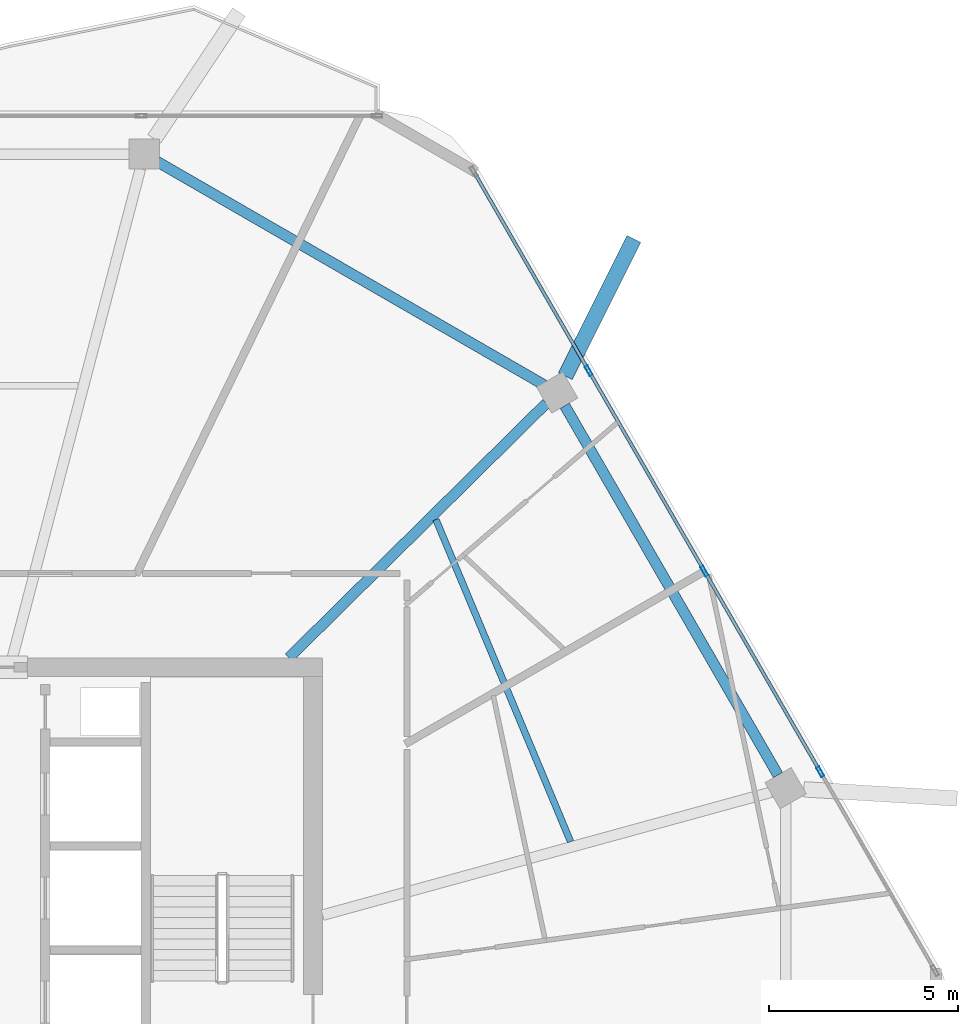
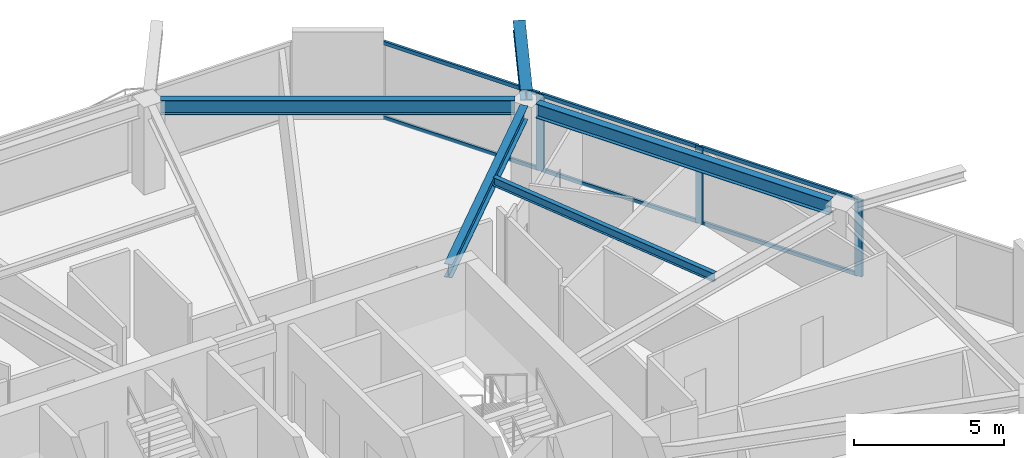
# One storey, part 11 of 20: 9 members, 5 beams, 1 element without a shape of its own.
"""IFC4 building model written with IfcOpenShell, lengths in metres."""

from ifc_helpers import new_model, si_unit, direction, frame, origin, origin_2d, place, context, subcontext, project, spatial, hollow_rectangle, i_section, extrude, material, material_profile, profile_set, type_object, element, aggregate, save


model = new_model("IFC4")

# Units and contexts
model_context = context("Model", 3, precision=1e-05, world=origin(), true_north=direction((0.0, 1.0)))
body_context = subcontext(model_context, "Body", "Model", "MODEL_VIEW")
ifc_project = project(units=[si_unit("LENGTHUNIT", "METRE"), si_unit("AREAUNIT", "SQUARE_METRE"), si_unit("VOLUMEUNIT", "CUBIC_METRE"), si_unit("PLANEANGLEUNIT", "RADIAN"), si_unit("MASSUNIT", "GRAM", prefix="KILO")], contexts=[model_context])

# Site, building, storey
site_placement = place(None, origin())
site = spatial("IfcSite", under=ifc_project, at=site_placement, CompositionType="ELEMENT")
building_placement = place(site_placement, origin())
building = spatial("IfcBuilding", under=site, at=building_placement, Name="Zuhravey Tower", CompositionType="ELEMENT")
storey_placement = place(building_placement, frame((0.0, 0.0, 312.0)))
storey = spatial("IfcBuildingStorey", under=building, at=storey_placement, Name="L79", CompositionType="ELEMENT", Elevation=312.0)

# Curtain wall, members
ifc_material_1 = material(Name="Thermally broken anodised aluminium", Category="aluminium")
curtain_wall_type = type_object("IfcCurtainWallType", Name="Zone 3-4 High-Rise Curtain Wall CW4", PredefinedType="NOTDEFINED", material=ifc_material_1)
curtain_wall_placement = place(storey_placement, origin())
curtain_wall = element("IfcCurtainWall", 1, at=curtain_wall_placement, inside=storey, type_object=curtain_wall_type, Name="L79 CW4 CW-L79-F1-1", PredefinedType="NOTDEFINED")
ifc_material_2 = material(Name="Anodised aluminium", Category="aluminium")
ifc_material_profile_1 = material_profile(ifc_material_2, hollow_rectangle(XDim=0.090087890625, YDim=0.284912109375, WallThickness=0.0048828125, at=origin_2d()), Name="ALU-RHS-90x285x5")
ifc_profile_set_1 = profile_set([ifc_material_profile_1], Name="Anodised aluminium")
member_type_1 = type_object("IfcMemberType", Name="Curtain-Wall Mullion 90x180", PredefinedType="MULLION", material=ifc_profile_set_1)
member_1_placement = place(storey_placement, frame((53.788818359375, 49.3369140625, 0.0), z_axis=(0.0, 0.0, 1.0), x_axis=(0.866025511541, 0.49999981336, 0.0)))
member_1 = element("IfcMember", 2, at=member_1_placement, type_object=member_type_1, Name="CW4 mullion 2", PredefinedType="MULLION", context=body_context, shape_type="SweptSolid", body=[
    extrude(hollow_rectangle(XDim=0.090087890625, YDim=0.284912109375, WallThickness=0.0048828125, at=origin_2d()), origin(), (0.0, 0.0, 1.0), 3.1220703125),
])
member_2_placement = place(storey_placement, frame((56.8486328125, 44.037109375, 0.0), z_axis=(0.0, 0.0, 1.0), x_axis=(0.866025511541, 0.49999981336, 0.0)))
member_2 = element("IfcMember", 3, at=member_2_placement, type_object=member_type_1, Name="CW4 mullion 3", PredefinedType="MULLION", context=body_context, shape_type="SweptSolid", body=[
    extrude(hollow_rectangle(XDim=0.090087890625, YDim=0.284912109375, WallThickness=0.0048828125, at=origin_2d()), origin(), (0.0, 0.0, 1.0), 3.1220703125),
])
member_3_placement = place(storey_placement, frame((59.90869140625, 38.7373046875, 0.0), z_axis=(0.0, 0.0, 1.0), x_axis=(0.866025511541, 0.49999981336, 0.0)))
member_3 = element("IfcMember", 4, at=member_3_placement, type_object=member_type_1, Name="CW4 mullion 4", PredefinedType="MULLION", context=body_context, shape_type="SweptSolid", body=[
    extrude(hollow_rectangle(XDim=0.090087890625, YDim=0.284912109375, WallThickness=0.0048828125, at=origin_2d()), origin(), (0.0, 0.0, 1.0), 3.1220703125),
])
ifc_material_profile_2 = material_profile(ifc_material_2, hollow_rectangle(XDim=0.090087890625, YDim=0.14990234375, WallThickness=0.0048828125, at=origin_2d()), Name="ALU-RHS-90x150x5")
ifc_profile_set_2 = profile_set([ifc_material_profile_2], Name="Anodised aluminium")
member_type_2 = type_object("IfcMemberType", Name="Curtain-Wall Transom 90x150", PredefinedType="USERDEFINED", material=ifc_profile_set_2)
member_4_placement = place(storey_placement, frame((50.774169921875, 54.55859375, 0.044921875), z_axis=(0.499982594807, -0.866035452444, 0.0), x_axis=(0.866035452444, 0.499982594807, 0.0)))
member_4 = element("IfcMember", 5, at=member_4_placement, type_object=member_type_2, Name="CW4 transom 1.1", ObjectType="TRANSOM", PredefinedType="USERDEFINED", context=body_context, shape_type="SweptSolid", body=[
    extrude(hollow_rectangle(XDim=0.090087890625, YDim=0.14990234375, WallThickness=0.0048828125, at=origin_2d()), origin(), (0.0, 0.0, 1.0), 5.984619140625),
])
member_5_placement = place(storey_placement, frame((50.774169921875, 54.55859375, 3.076904296875), z_axis=(0.499982594807, -0.866035452444, 0.0), x_axis=(0.866035452444, 0.499982594807, 0.0)))
member_5 = element("IfcMember", 6, at=member_5_placement, type_object=member_type_2, Name="CW4 transom 1.2", ObjectType="TRANSOM", PredefinedType="USERDEFINED", context=body_context, shape_type="SweptSolid", body=[
    extrude(hollow_rectangle(XDim=0.090087890625, YDim=0.14990234375, WallThickness=0.0048828125, at=origin_2d()), origin(), (0.0, 0.0, 1.0), 5.984619140625),
])
member_6_placement = place(storey_placement, frame((53.8115234375, 49.2978515625, 0.044921875), z_axis=(0.499971305196, -0.866041970103, 0.0), x_axis=(0.866041970103, 0.499971305196, 0.0)))
member_6 = element("IfcMember", 7, at=member_6_placement, type_object=member_type_2, Name="CW4 transom 2.1", ObjectType="TRANSOM", PredefinedType="USERDEFINED", context=body_context, shape_type="SweptSolid", body=[
    extrude(hollow_rectangle(XDim=0.090087890625, YDim=0.14990234375, WallThickness=0.0048828125, at=origin_2d()), origin(), (0.0, 0.0, 1.0), 6.029541015625),
])
member_7_placement = place(storey_placement, frame((53.8115234375, 49.2978515625, 3.076904296875), z_axis=(0.499971305196, -0.866041970103, 0.0), x_axis=(0.866041970103, 0.499971305196, 0.0)))
member_7 = element("IfcMember", 8, at=member_7_placement, type_object=member_type_2, Name="CW4 transom 2.2", ObjectType="TRANSOM", PredefinedType="USERDEFINED", context=body_context, shape_type="SweptSolid", body=[
    extrude(hollow_rectangle(XDim=0.090087890625, YDim=0.14990234375, WallThickness=0.0048828125, at=origin_2d()), origin(), (0.0, 0.0, 1.0), 6.029541015625),
])
member_8_placement = place(storey_placement, frame((56.871337890625, 43.998046875, 0.044921875), z_axis=(0.499988837749, -0.866031848217, 0.0), x_axis=(0.866031848217, 0.499988837749, 0.0)))
member_8 = element("IfcMember", 9, at=member_8_placement, type_object=member_type_2, Name="CW4 transom 3.1", ObjectType="TRANSOM", PredefinedType="USERDEFINED", context=body_context, shape_type="SweptSolid", body=[
    extrude(hollow_rectangle(XDim=0.090087890625, YDim=0.14990234375, WallThickness=0.0048828125, at=origin_2d()), origin(), (0.0, 0.0, 1.0), 6.029541015625),
])
member_9_placement = place(storey_placement, frame((56.871337890625, 43.998046875, 3.076904296875), z_axis=(0.499988837749, -0.866031848217, 0.0), x_axis=(0.866031848217, 0.499988837749, 0.0)))
member_9 = element("IfcMember", 10, at=member_9_placement, type_object=member_type_2, Name="CW4 transom 3.2", ObjectType="TRANSOM", PredefinedType="USERDEFINED", context=body_context, shape_type="SweptSolid", body=[
    extrude(hollow_rectangle(XDim=0.090087890625, YDim=0.14990234375, WallThickness=0.0048828125, at=origin_2d()), origin(), (0.0, 0.0, 1.0), 6.029541015625),
])
aggregate(curtain_wall, [member_1, member_2, member_3, member_4, member_5, member_6, member_7, member_8, member_9])

# Beams
ifc_material_3 = material(Name="Steel SM460", Category="steel")
ifc_material_profile_3 = material_profile(ifc_material_3, i_section(OverallWidth=0.406982421875, OverallDepth=0.427978515625, WebThickness=0.02001953125, FlangeThickness=0.034912109375, at=origin_2d()), Name="H-428x407x20x35")
ifc_profile_set_3 = profile_set([ifc_material_profile_3], Name="Steel SM460")
beam_type_1 = type_object("IfcBeamType", Name="Exoskeleton Node Tie Beam H428x407", PredefinedType="BEAM", material=ifc_profile_set_3)
beam_1_placement = place(storey_placement, frame((53.170654296875, 49.194091796875, 3.3359375), z_axis=(0.446900587237, 0.894583626682, 0.0), x_axis=(-0.894583626682, 0.446900587237, 0.0)))
element("IfcBeam", 11, at=beam_1_placement, inside=storey, type_object=beam_type_1, Name="L79 Exoskeleton Node Tie NT1-02", PredefinedType="BEAM", context=body_context, shape_type="SweptSolid", body=[
    extrude(i_section(OverallWidth=0.406982421875, OverallDepth=0.427978515625, WebThickness=0.02001953125, FlangeThickness=0.034912109375, at=origin_2d()), origin(), (0.0, 0.0, 1.0), 4.05615234375),
])
ifc_material_4 = material(Name="Steel SM355", Category="steel")
ifc_material_profile_4 = material_profile(ifc_material_4, i_section(OverallWidth=0.280029296875, OverallDepth=0.580078125, WebThickness=0.011962890625, FlangeThickness=0.01904296875, at=origin_2d()), Name="H-580x280x12x19")
ifc_profile_set_4 = profile_set([ifc_material_profile_4], Name="Steel SM355")
beam_type_2 = type_object("IfcBeamType", Name="Perimeter Ring Beam H580x280", PredefinedType="BEAM", material=ifc_profile_set_4)
beam_2_placement = place(storey_placement, frame((58.7919921875, 38.6513671875, 3.260009765625), z_axis=(-0.500006198144, 0.866021825255, 0.0), x_axis=(-0.866021825255, -0.500006198144, 0.0)))
element("IfcBeam", 12, at=beam_2_placement, inside=storey, type_object=beam_type_2, Name="L79 PB4 BM-L79-PB-01", PredefinedType="BEAM", context=body_context, shape_type="SweptSolid", body=[
    extrude(i_section(OverallWidth=0.280029296875, OverallDepth=0.580078125, WebThickness=0.011962890625, FlangeThickness=0.01904296875, at=origin_2d()), origin(), (0.0, 0.0, 1.0), 11.271240234375),
])
beam_3_placement = place(storey_placement, frame((52.605712890625, 48.963134765625, 3.260009765625), z_axis=(-0.866023977509, 0.500002470373, 0.0), x_axis=(-0.500002470373, -0.866023977509, 0.0)))
element("IfcBeam", 13, at=beam_3_placement, inside=storey, type_object=beam_type_2, Name="L79 PB4 BM-L79-PB-02", PredefinedType="BEAM", context=body_context, shape_type="SweptSolid", body=[
    extrude(i_section(OverallWidth=0.280029296875, OverallDepth=0.580078125, WebThickness=0.011962890625, FlangeThickness=0.01904296875, at=origin_2d()), origin(), (0.0, 0.0, 1.0), 11.798828125),
])
ifc_material_profile_5 = material_profile(ifc_material_4, i_section(OverallWidth=0.280029296875, OverallDepth=0.550048828125, WebThickness=0.010986328125, FlangeThickness=0.01806640625, at=origin_2d()), Name="H-550x280x11x18")
ifc_profile_set_5 = profile_set([ifc_material_profile_5], Name="Steel SM355")
beam_type_3 = type_object("IfcBeamType", Name="Radial Primary Girder H550x280", PredefinedType="BEAM", material=ifc_profile_set_5)
beam_4_placement = place(storey_placement, frame((45.865234375, 41.7529296875, 3.27490234375), z_axis=(0.711153035666, 0.703037239314, 0.0), x_axis=(-0.703037239314, 0.711153035666, 0.0)))
element("IfcBeam", 14, at=beam_4_placement, inside=storey, type_object=beam_type_3, Name="L79 RG4 BM-L79-RAD-02", PredefinedType="BEAM", context=body_context, shape_type="SweptSolid", body=[
    extrude(i_section(OverallWidth=0.280029296875, OverallDepth=0.550048828125, WebThickness=0.010986328125, FlangeThickness=0.01806640625, at=origin_2d()), origin(), (0.0, 0.0, 1.0), 9.566162109375),
])
ifc_material_profile_6 = material_profile(ifc_material_4, i_section(OverallWidth=0.175048828125, OverallDepth=0.35009765625, WebThickness=0.007080078125, FlangeThickness=0.010986328125, at=origin_2d()), Name="H-350x175x7x11")
ifc_profile_set_6 = profile_set([ifc_material_profile_6], Name="Steel SM355")
beam_type_4 = type_object("IfcBeamType", Name="Secondary Floor Joist H350x175", PredefinedType="JOIST", material=ifc_profile_set_6)
beam_5_placement = place(storey_placement, frame((53.307373046875, 36.891845703125, 3.375), z_axis=(-0.385657891576, 0.922641853953, 0.0), x_axis=(-0.922641853953, -0.385657891576, 0.0)))
element("IfcBeam", 15, at=beam_5_placement, inside=storey, type_object=beam_type_4, Name="L79 SJ3 BM-L79-SJ-01-1", PredefinedType="JOIST", context=body_context, shape_type="SweptSolid", body=[
    extrude(i_section(OverallWidth=0.175048828125, OverallDepth=0.35009765625, WebThickness=0.007080078125, FlangeThickness=0.010986328125, at=origin_2d()), origin(), (0.0, 0.0, 1.0), 9.226806640625),
])

save(model, "model.ifc")
